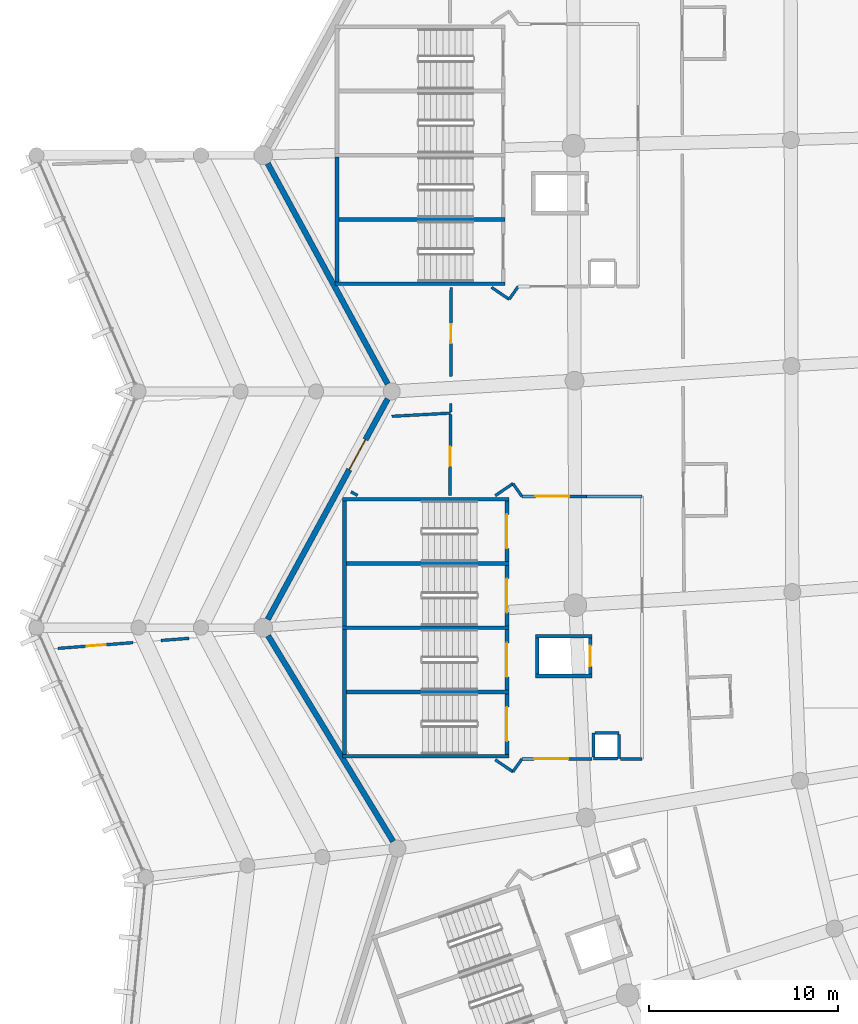
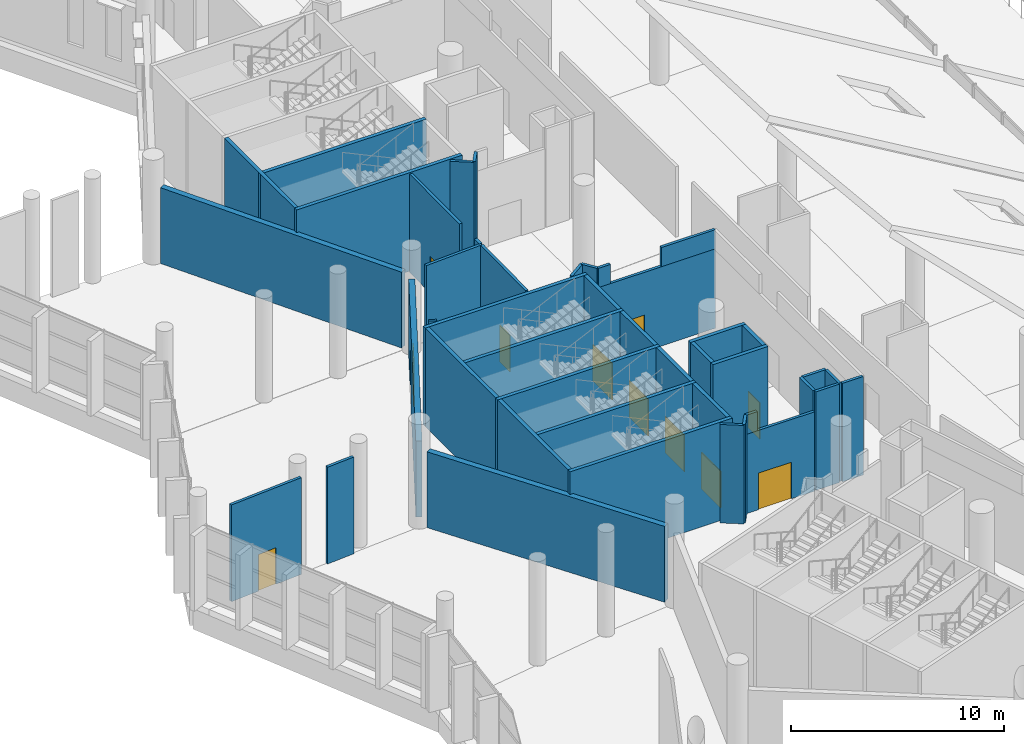
# One storey, part 144 of 249: 44 walls, 11 doors, 11 openings.
"""IFC4 building model written with IfcOpenShell, lengths in metres."""

from ifc_helpers import new_model, si_unit, direction, frame, frame_2d, origin, place, context, subcontext, project, spatial, rectangle, extrude, material, layer, layer_set, type_object, element, fill, save


model = new_model("IFC4")

# Units and contexts
model_context = context("Model", 3, precision=1e-05, world=origin(), true_north=direction((0.0, 1.0)))
body_context = subcontext(model_context, "Body", "Model", "MODEL_VIEW")
ifc_project = project(units=[si_unit("LENGTHUNIT", "METRE"), si_unit("AREAUNIT", "SQUARE_METRE"), si_unit("VOLUMEUNIT", "CUBIC_METRE"), si_unit("PLANEANGLEUNIT", "RADIAN"), si_unit("MASSUNIT", "GRAM", prefix="KILO")], contexts=[model_context])

# Site, building, storey
site_placement = place(None, origin())
site = spatial("IfcSite", under=ifc_project, at=site_placement, CompositionType="ELEMENT")
building_placement = place(site_placement, origin())
building = spatial("IfcBuilding", under=site, at=building_placement, Name="Meseta Stadium", CompositionType="ELEMENT")
storey_placement = place(building_placement, frame((0.0, 0.0, 12.0)))
storey = spatial("IfcBuildingStorey", under=building, at=storey_placement, Name="L02", CompositionType="ELEMENT", Elevation=12.0)

# Walls
ifc_material_1 = material(Name="Concrete C40/50", Category="concrete")
ifc_layer_1 = layer(ifc_material_1, 0.199951171875)
ifc_layer_set_1 = layer_set([ifc_layer_1], Name="Core divider wall 200")
wall_type_1 = type_object("IfcWallType", Name="Core divider wall 200", PredefinedType="SHEAR", material=ifc_layer_set_1)
wall_1_placement = place(storey_placement, frame((-97.60009765625, -22.14990234375, 0.0), z_axis=(0.0, 0.0, 1.0), x_axis=(1.0, 0.0, 0.0)))
element("IfcWall", 1, at=wall_1_placement, inside=storey, type_object=wall_type_1, Name="Core 18 L02 stair B divider wall", PredefinedType="SHEAR", context=body_context, shape_type="SweptSolid", body=[
    extrude(rectangle(XDim=9.0, YDim=0.199951171875, at=frame_2d((4.5, 0.0))), origin(), (0.0, 0.0, 1.0), 5.64990234375),
])
for number, where, z_axis, x_axis, name in (
    (2, (-97.199951171875, -40.35009765625, 0.0), (0.0, 0.0, 1.0), (1.0, 0.0, 0.0), "Core 19 L02 stair A divider wall"),
    (3, (-97.199951171875, -47.14990234375, 0.0), (0.0, 0.0, 1.0), (1.0, 0.0, 0.0), "Core 19 L02 stair B divider wall"),
):
    element("IfcWall", number, at=place(storey_placement, frame(where, z_axis=z_axis, x_axis=x_axis)), inside=storey, type_object=wall_type_1, Name=name, PredefinedType="SHEAR", context=body_context, shape_type="SweptSolid", body=[
        extrude(rectangle(XDim=8.800048828125, YDim=0.199951171875, at=frame_2d((4.39990234375, 0.0))), origin(), (0.0, 0.0, 1.0), 5.64990234375),
    ])
ifc_material_2 = material(Name="Concrete C40/50", Category="concrete")
ifc_layer_2 = layer(ifc_material_2, 0.199951171875)
ifc_layer_set_2 = layer_set([ifc_layer_2], Name="Core shaft wall 200")
wall_type_2 = type_object("IfcWallType", Name="Core shaft wall 200", PredefinedType="SHEAR", material=ifc_layer_set_2)
wall_2_placement = place(storey_placement, frame((-97.60009765625, -25.550048828125, 0.0), z_axis=(0.0, 0.0, 1.0), x_axis=(1.0, 0.0, 0.0)))
element("IfcWall", 4, at=wall_2_placement, inside=storey, type_object=wall_type_2, Name="Core 18 L02 stair wall B-side", PredefinedType="SHEAR", context=body_context, shape_type="SweptSolid", body=[
    extrude(rectangle(XDim=9.0, YDim=0.199951171875, at=frame_2d((4.5, 0.0))), origin(), (0.0, 0.0, 1.0), 5.64990234375),
])
wall_3_placement = place(storey_placement, frame((-97.5, -18.85009765625, 0.0), z_axis=(0.0, 0.0, 1.0), x_axis=(0.0, -1.0, 0.0)))
element("IfcWall", 5, at=wall_3_placement, inside=storey, type_object=wall_type_2, Name="Core 18 L02 stair B outer end wall", PredefinedType="SHEAR", context=body_context, shape_type="SweptSolid", body=[
    extrude(rectangle(XDim=6.599853515625, YDim=0.199951171875, at=frame_2d((3.2998046875, 0.0))), origin(), (0.0, 0.0, 1.0), 5.64990234375),
])
for number, where, z_axis, x_axis, name in (
    (6, (-97.199951171875, -36.949951171875, 0.0), (0.0, 0.0, 1.0), (1.0, 0.0, 0.0), "Core 19 L02 stair wall A-side"),
    (7, (-97.199951171875, -43.75, 0.0), (0.0, 0.0, 1.0), (1.0, 0.0, 0.0), "Core 19 L02 stair wall shared"),
    (8, (-97.199951171875, -50.550048828125, 0.0), (0.0, 0.0, 1.0), (1.0, 0.0, 0.0), "Core 19 L02 stair wall B-side"),
):
    element("IfcWall", number, at=place(storey_placement, frame(where, z_axis=z_axis, x_axis=x_axis)), inside=storey, type_object=wall_type_2, Name=name, PredefinedType="SHEAR", context=body_context, shape_type="SweptSolid", body=[
        extrude(rectangle(XDim=8.800048828125, YDim=0.199951171875, at=frame_2d((4.39990234375, 0.0))), origin(), (0.0, 0.0, 1.0), 5.64990234375),
    ])
for number, where, z_axis, x_axis, name in (
    (9, (-97.10009765625, -37.050048828125, 0.0), (0.0, 0.0, 1.0), (0.0, -1.0, 0.0), "Core 19 L02 stair A outer end wall"),
    (10, (-97.10009765625, -43.85009765625, 0.0), (0.0, 0.0, 1.0), (0.0, -1.0, 0.0), "Core 19 L02 stair B outer end wall"),
):
    element("IfcWall", number, at=place(storey_placement, frame(where, z_axis=z_axis, x_axis=x_axis)), inside=storey, type_object=wall_type_2, Name=name, PredefinedType="SHEAR", context=body_context, shape_type="SweptSolid", body=[
        extrude(rectangle(XDim=6.599853515625, YDim=0.199951171875, at=frame_2d((3.2998046875, 0.0))), origin(), (0.0, 0.0, 1.0), 5.64990234375),
    ])

# Wall, opening, door
wall_4_placement = place(storey_placement, frame((-88.5, -37.050048828125, 0.0), z_axis=(0.0, 0.0, 1.0), x_axis=(0.0, -1.0, 0.0)))
wall_4 = element("IfcWall", 11, at=wall_4_placement, inside=storey, type_object=wall_type_2, Name="Core 19 L02 stair A1 inner end wall", PredefinedType="SHEAR", context=body_context, shape_type="SweptSolid", body=[
    extrude(rectangle(XDim=3.199951171875, YDim=0.199951171875, at=frame_2d((1.60009765625, 0.0))), origin(), (0.0, 0.0, 1.0), 5.64990234375),
])
opening_1_placement = place(wall_4_placement, frame((0.699951171875, 0.0, 0.0)))
opening_1 = element("IfcOpeningElement", 12, at=opening_1_placement, cuts=wall_4, Name="Opening D1005", PredefinedType="OPENING", context=body_context, shape_type="SweptSolid", body=[
    extrude(rectangle(XDim=1.800048828125, YDim=2.10009765625, at=frame_2d((0.89990234375, 1.050048828125))), frame((0.0, 0.10986328125, 0.0), z_axis=(0.0, -1.0, 0.0), x_axis=(1.0, 0.0, 0.0)), (0.0, 0.0, 1.0), 0.219970703125),
])
ifc_material_3 = material(Name="Steel", Category="steel")
door_type_1 = type_object("IfcDoorType", Name="Stair door 1800x2100", OperationType="DOUBLE_DOOR_SINGLE_SWING", PredefinedType="DOOR", material=ifc_material_3)
door_1_placement = place(opening_1_placement, origin())
door_1 = element("IfcDoor", 13, at=door_1_placement, inside=storey, type_object=door_type_1, Name="Stair A1 door 19 L02", OperationType="DOUBLE_DOOR_SINGLE_SWING", OverallHeight=2.10009765625, OverallWidth=1.800048828125, PredefinedType="DOOR", context=body_context, shape_type="SweptSolid", body=[
    extrude(rectangle(XDim=1.800048828125, YDim=2.10009765625, at=frame_2d((0.89990234375, 1.050048828125))), frame((0.0, 0.02490234375, 0.0), z_axis=(0.0, -1.0, 0.0), x_axis=(1.0, 0.0, 0.0)), (0.0, 0.0, 1.0), 0.050048828125),
])
fill(opening_1, door_1)

wall_5_placement = place(storey_placement, frame((-88.5, -40.449951171875, 0.0), z_axis=(0.0, 0.0, 1.0), x_axis=(0.0, -1.0, 0.0)))
wall_5 = element("IfcWall", 14, at=wall_5_placement, inside=storey, type_object=wall_type_2, Name="Core 19 L02 stair A2 inner end wall", PredefinedType="SHEAR", context=body_context, shape_type="SweptSolid", body=[
    extrude(rectangle(XDim=3.199951171875, YDim=0.199951171875, at=frame_2d((1.60009765625, 0.0))), origin(), (0.0, 0.0, 1.0), 5.64990234375),
])
opening_2_placement = place(wall_5_placement, frame((0.699951171875, 0.0, 0.0)))
opening_2 = element("IfcOpeningElement", 15, at=opening_2_placement, cuts=wall_5, Name="Opening D1004", PredefinedType="OPENING", context=body_context, shape_type="SweptSolid", body=[
    extrude(rectangle(XDim=1.800048828125, YDim=2.10009765625, at=frame_2d((0.89990234375, 1.050048828125))), frame((0.0, 0.10986328125, 0.0), z_axis=(0.0, -1.0, 0.0), x_axis=(1.0, 0.0, 0.0)), (0.0, 0.0, 1.0), 0.219970703125),
])
door_2_placement = place(opening_2_placement, origin())
door_2 = element("IfcDoor", 16, at=door_2_placement, inside=storey, type_object=door_type_1, Name="Stair A2 door 19 L02", OperationType="DOUBLE_DOOR_SINGLE_SWING", OverallHeight=2.10009765625, OverallWidth=1.800048828125, PredefinedType="DOOR", context=body_context, shape_type="SweptSolid", body=[
    extrude(rectangle(XDim=1.800048828125, YDim=2.10009765625, at=frame_2d((0.89990234375, 1.050048828125))), frame((0.0, 0.02490234375, 0.0), z_axis=(0.0, -1.0, 0.0), x_axis=(1.0, 0.0, 0.0)), (0.0, 0.0, 1.0), 0.050048828125),
])
fill(opening_2, door_2)

wall_6_placement = place(storey_placement, frame((-88.5, -43.85009765625, 0.0), z_axis=(0.0, 0.0, 1.0), x_axis=(0.0, -1.0, 0.0)))
wall_6 = element("IfcWall", 17, at=wall_6_placement, inside=storey, type_object=wall_type_2, Name="Core 19 L02 stair B1 inner end wall", PredefinedType="SHEAR", context=body_context, shape_type="SweptSolid", body=[
    extrude(rectangle(XDim=3.199951171875, YDim=0.199951171875, at=frame_2d((1.60009765625, 0.0))), origin(), (0.0, 0.0, 1.0), 5.64990234375),
])
opening_3_placement = place(wall_6_placement, frame((0.699951171875, 0.0, 0.0)))
opening_3 = element("IfcOpeningElement", 18, at=opening_3_placement, cuts=wall_6, Name="Opening D1003", PredefinedType="OPENING", context=body_context, shape_type="SweptSolid", body=[
    extrude(rectangle(XDim=1.800048828125, YDim=2.10009765625, at=frame_2d((0.89990234375, 1.050048828125))), frame((0.0, 0.10986328125, 0.0), z_axis=(0.0, -1.0, 0.0), x_axis=(1.0, 0.0, 0.0)), (0.0, 0.0, 1.0), 0.219970703125),
])
door_3_placement = place(opening_3_placement, origin())
door_3 = element("IfcDoor", 19, at=door_3_placement, inside=storey, type_object=door_type_1, Name="Stair B1 door 19 L02", OperationType="DOUBLE_DOOR_SINGLE_SWING", OverallHeight=2.10009765625, OverallWidth=1.800048828125, PredefinedType="DOOR", context=body_context, shape_type="SweptSolid", body=[
    extrude(rectangle(XDim=1.800048828125, YDim=2.10009765625, at=frame_2d((0.89990234375, 1.050048828125))), frame((0.0, 0.02490234375, 0.0), z_axis=(0.0, -1.0, 0.0), x_axis=(1.0, 0.0, 0.0)), (0.0, 0.0, 1.0), 0.050048828125),
])
fill(opening_3, door_3)

wall_7_placement = place(storey_placement, frame((-88.5, -47.25, 0.0), z_axis=(0.0, 0.0, 1.0), x_axis=(0.0, -1.0, 0.0)))
wall_7 = element("IfcWall", 20, at=wall_7_placement, inside=storey, type_object=wall_type_2, Name="Core 19 L02 stair B2 inner end wall", PredefinedType="SHEAR", context=body_context, shape_type="SweptSolid", body=[
    extrude(rectangle(XDim=3.199951171875, YDim=0.199951171875, at=frame_2d((1.60009765625, 0.0))), origin(), (0.0, 0.0, 1.0), 5.64990234375),
])
opening_4_placement = place(wall_7_placement, frame((0.699951171875, 0.0, 0.0)))
opening_4 = element("IfcOpeningElement", 21, at=opening_4_placement, cuts=wall_7, Name="Opening D1002", PredefinedType="OPENING", context=body_context, shape_type="SweptSolid", body=[
    extrude(rectangle(XDim=1.800048828125, YDim=2.10009765625, at=frame_2d((0.89990234375, 1.050048828125))), frame((0.0, 0.10986328125, 0.0), z_axis=(0.0, -1.0, 0.0), x_axis=(1.0, 0.0, 0.0)), (0.0, 0.0, 1.0), 0.219970703125),
])
door_4_placement = place(opening_4_placement, origin())
door_4 = element("IfcDoor", 22, at=door_4_placement, inside=storey, type_object=door_type_1, Name="Stair B2 door 19 L02", OperationType="DOUBLE_DOOR_SINGLE_SWING", OverallHeight=2.10009765625, OverallWidth=1.800048828125, PredefinedType="DOOR", context=body_context, shape_type="SweptSolid", body=[
    extrude(rectangle(XDim=1.800048828125, YDim=2.10009765625, at=frame_2d((0.89990234375, 1.050048828125))), frame((0.0, 0.02490234375, 0.0), z_axis=(0.0, -1.0, 0.0), x_axis=(1.0, 0.0, 0.0)), (0.0, 0.0, 1.0), 0.050048828125),
])
fill(opening_4, door_4)

# Walls
for number, where, z_axis, x_axis, name in (
    (23, (-87.0, -44.199951171875, 0.0), (0.0, 0.0, 1.0), (1.0, 0.0, 0.0), "Core 19 L02 lift shaft wall left"),
    (24, (-87.0, -46.300048828125, 0.0), (0.0, 0.0, 1.0), (1.0, 0.0, 0.0), "Core 19 L02 lift shaft wall right"),
):
    element("IfcWall", number, at=place(storey_placement, frame(where, z_axis=z_axis, x_axis=x_axis)), inside=storey, type_object=wall_type_2, Name=name, PredefinedType="SHEAR", context=body_context, shape_type="SweptSolid", body=[
        extrude(rectangle(XDim=3.0, YDim=0.199951171875, at=frame_2d((1.5, 0.0))), origin(), (0.0, 0.0, 1.0), 5.64990234375),
    ])
wall_8_placement = place(storey_placement, frame((-86.89990234375, -44.300048828125, 0.0), z_axis=(0.0, 0.0, 1.0), x_axis=(0.0, -1.0, 0.0)))
element("IfcWall", 25, at=wall_8_placement, inside=storey, type_object=wall_type_2, Name="Core 19 L02 lift shaft back wall", PredefinedType="SHEAR", context=body_context, shape_type="SweptSolid", body=[
    extrude(rectangle(XDim=1.89990234375, YDim=0.199951171875, at=frame_2d((0.949951171875, 0.0))), origin(), (0.0, 0.0, 1.0), 5.64990234375),
])

# Wall, opening, door
wall_9_placement = place(storey_placement, frame((-84.10009765625, -44.300048828125, 0.0), z_axis=(0.0, 0.0, 1.0), x_axis=(0.0, -1.0, 0.0)))
wall_9 = element("IfcWall", 26, at=wall_9_placement, inside=storey, type_object=wall_type_2, Name="Core 19 L02 lift shaft front wall", PredefinedType="SHEAR", context=body_context, shape_type="SweptSolid", body=[
    extrude(rectangle(XDim=1.89990234375, YDim=0.199951171875, at=frame_2d((0.949951171875, 0.0))), origin(), (0.0, 0.0, 1.0), 5.64990234375),
])
opening_5_placement = place(wall_9_placement, frame((0.39990234375, 0.0, 0.0)))
opening_5 = element("IfcOpeningElement", 27, at=opening_5_placement, cuts=wall_9, Name="Opening LD106", PredefinedType="OPENING", context=body_context, shape_type="SweptSolid", body=[
    extrude(rectangle(XDim=1.10009765625, YDim=2.10009765625, at=frame_2d((0.550048828125, 1.050048828125))), frame((0.0, 0.10986328125, 0.0), z_axis=(0.0, -1.0, 0.0), x_axis=(1.0, 0.0, 0.0)), (0.0, 0.0, 1.0), 0.219970703125),
])
ifc_material_4 = material(Name="Steel", Category="steel")
door_type_2 = type_object("IfcDoorType", Name="Lift landing door 1100x2100", OperationType="SLIDING_TO_LEFT", PredefinedType="DOOR", material=ifc_material_4)
door_5_placement = place(opening_5_placement, origin())
door_5 = element("IfcDoor", 28, at=door_5_placement, inside=storey, type_object=door_type_2, Name="Lift landing door LD106", OperationType="SLIDING_TO_RIGHT", OverallHeight=2.10009765625, OverallWidth=1.10009765625, PredefinedType="DOOR", context=body_context, shape_type="SweptSolid", body=[
    extrude(rectangle(XDim=1.10009765625, YDim=2.10009765625, at=frame_2d((0.550048828125, 1.050048828125))), frame((0.0, 0.02490234375, 0.0), z_axis=(0.0, -1.0, 0.0), x_axis=(1.0, 0.0, 0.0)), (0.0, 0.0, 1.0), 0.050048828125),
])
fill(opening_5, door_5)

# Walls
ifc_material_5 = material(Name="Masonry blockwork", Category="masonry")
ifc_layer_3 = layer(ifc_material_5, 0.14990234375)
ifc_layer_set_3 = layer_set([ifc_layer_3], Name="Partition 150")
wall_type_3 = type_object("IfcWallType", Name="Partition 150", PredefinedType="PARTITIONING", material=ifc_layer_set_3)
wall_10_placement = place(storey_placement, frame((-96.408447265625, -36.75, 0.0), z_axis=(0.0, 0.0, 1.0), x_axis=(-0.878438378965, 0.477855641759, 0.0)))
element("IfcWall", 29, at=wall_10_placement, inside=storey, type_object=wall_type_3, Name="Partition L02 L02-cell17-2-0a", PredefinedType="PARTITIONING", context=body_context, shape_type="SweptSolid", body=[
    extrude(rectangle(XDim=0.39501953125, YDim=0.14990234375, at=frame_2d((0.197509765625, 0.0))), origin(), (0.0, 0.0, 1.0), 5.64990234375),
])
wall_11_placement = place(storey_placement, frame((-94.59912109375, -32.56591796875, 0.0), z_axis=(0.0, 0.0, 1.0), x_axis=(0.998501215995, 0.054729531845, 0.0)))
element("IfcWall", 30, at=wall_11_placement, inside=storey, type_object=wall_type_3, Name="Partition L02 L02-cell17-2-0a", PredefinedType="PARTITIONING", context=body_context, shape_type="SweptSolid", body=[
    extrude(rectangle(XDim=3.12255859375, YDim=0.14990234375, at=frame_2d((1.561279296875, 0.0))), origin(), (0.0, 0.0, 1.0), 5.64990234375),
])

# Wall, opening, door
wall_12_placement = place(storey_placement, frame((-91.48193359375, -32.469970703125, 0.0), z_axis=(0.0, 0.0, 1.0), x_axis=(-0.009411482079, -0.999955711022, 0.0)))
wall_12 = element("IfcWall", 31, at=wall_12_placement, inside=storey, type_object=wall_type_3, Name="Partition L02 L02-cell17-2-0a", PredefinedType="PARTITIONING", context=body_context, shape_type="SweptSolid", body=[
    extrude(rectangle(XDim=4.2802734375, YDim=0.14990234375, at=frame_2d((2.14013671875, 0.0))), origin(), (0.0, 0.0, 1.0), 5.64990234375),
])
opening_6_placement = place(wall_12_placement, frame((1.699951171875, 0.0, 0.0)))
opening_6 = element("IfcOpeningElement", 32, at=opening_6_placement, cuts=wall_12, Name="Opening D708", PredefinedType="OPENING", context=body_context, shape_type="SweptSolid", body=[
    extrude(rectangle(XDim=1.0, YDim=2.10009765625, at=frame_2d((0.5, 1.050048828125))), frame((0.0, 0.0849609375, 0.0), z_axis=(0.0, -1.0, 0.0), x_axis=(1.0, 0.0, 0.0)), (0.0, 0.0, 1.0), 0.169921875),
])
ifc_material_6 = material(Name="Timber", Category="wood")
door_type_3 = type_object("IfcDoorType", Name="Room door 1000x2100", OperationType="NOTDEFINED", PredefinedType="DOOR", material=ifc_material_6)
door_6_placement = place(opening_6_placement, origin())
door_6 = element("IfcDoor", 33, at=door_6_placement, inside=storey, type_object=door_type_3, Name="Door D708", OperationType="SINGLE_SWING_LEFT", OverallHeight=2.10009765625, OverallWidth=1.0, PredefinedType="DOOR", context=body_context, shape_type="SweptSolid", body=[
    extrude(rectangle(XDim=1.0, YDim=2.10009765625, at=frame_2d((0.5, 1.050048828125))), frame((0.0, 0.02490234375, 0.0), z_axis=(0.0, -1.0, 0.0), x_axis=(1.0, 0.0, 0.0)), (0.0, 0.0, 1.0), 0.050048828125),
])
fill(opening_6, door_6)

wall_13_placement = place(storey_placement, frame((-91.454833984375, -25.75, 0.0), z_axis=(0.0, 0.0, 1.0), x_axis=(-0.003886987998, -0.999992445634, 0.0)))
wall_13 = element("IfcWall", 34, at=wall_13_placement, inside=storey, type_object=wall_type_3, Name="Partition L02 L02-cell17-2-0w", PredefinedType="PARTITIONING", context=body_context, shape_type="SweptSolid", body=[
    extrude(rectangle(XDim=4.710693359375, YDim=0.14990234375, at=frame_2d((2.35546875, 0.0))), origin(), (0.0, 0.0, 1.0), 5.64990234375),
])
opening_7_placement = place(wall_13_placement, frame((1.949951171875, 0.0, 0.0)))
opening_7 = element("IfcOpeningElement", 35, at=opening_7_placement, cuts=wall_13, Name="Opening D709", PredefinedType="OPENING", context=body_context, shape_type="SweptSolid", body=[
    extrude(rectangle(XDim=1.0, YDim=2.10009765625, at=frame_2d((0.5, 1.050048828125))), frame((0.0, 0.0849609375, 0.0), z_axis=(0.0, -1.0, 0.0), x_axis=(1.0, 0.0, 0.0)), (0.0, 0.0, 1.0), 0.169921875),
])
door_7_placement = place(opening_7_placement, origin())
door_7 = element("IfcDoor", 36, at=door_7_placement, inside=storey, type_object=door_type_3, Name="Door D709", OperationType="SINGLE_SWING_RIGHT", OverallHeight=2.10009765625, OverallWidth=1.0, PredefinedType="DOOR", context=body_context, shape_type="SweptSolid", body=[
    extrude(rectangle(XDim=1.0, YDim=2.10009765625, at=frame_2d((0.5, 1.050048828125))), frame((0.0, 0.02490234375, 0.0), z_axis=(0.0, -1.0, 0.0), x_axis=(1.0, 0.0, 0.0)), (0.0, 0.0, 1.0), 0.050048828125),
])
fill(opening_7, door_7)

# Walls
wall_14_placement = place(storey_placement, frame((-91.478759765625, -31.873779296875, 0.0), z_axis=(0.0, 0.0, 1.0), x_axis=(-0.00362691915, -0.999993422707, 0.0)))
element("IfcWall", 37, at=wall_14_placement, inside=storey, type_object=wall_type_3, Name="Partition L02 L02-cell17-2-0w", PredefinedType="PARTITIONING", context=body_context, shape_type="SweptSolid", body=[
    extrude(rectangle(XDim=0.47119140625, YDim=0.14990234375, at=frame_2d((0.235595703125, 0.0))), origin(), (0.0, 0.0, 1.0), 5.64990234375),
])
wall_15_placement = place(storey_placement, frame((-105.322021484375, -44.31201171875, 0.0), z_axis=(0.0, 0.0, 1.0), x_axis=(-0.997063142475, -0.07658387505, 0.0)))
element("IfcWall", 38, at=wall_15_placement, inside=storey, type_object=wall_type_3, Name="Partition L02 L02-ring17-0", PredefinedType="PARTITIONING", context=body_context, shape_type="SweptSolid", body=[
    extrude(rectangle(XDim=1.491943359375, YDim=0.14990234375, at=frame_2d((0.74609375, 0.0))), origin(), (0.0, 0.0, 1.0), 5.550048828125),
])

# Wall, opening, door
wall_16_placement = place(storey_placement, frame((-108.297119140625, -44.540283203125, 0.0), z_axis=(0.0, 0.0, 1.0), x_axis=(-0.997068185729, -0.076518187433, 0.0)))
wall_16 = element("IfcWall", 39, at=wall_16_placement, inside=storey, type_object=wall_type_3, Name="Partition L02 L02-ring17-0", PredefinedType="PARTITIONING", context=body_context, shape_type="SweptSolid", body=[
    extrude(rectangle(XDim=3.978759765625, YDim=0.14990234375, at=frame_2d((1.9892578125, 0.0))), origin(), (0.0, 0.0, 1.0), 5.550048828125),
])
opening_8_placement = place(wall_16_placement, frame((1.449951171875, 0.0, 0.0)))
opening_8 = element("IfcOpeningElement", 40, at=opening_8_placement, cuts=wall_16, Name="Opening D712", PredefinedType="OPENING", context=body_context, shape_type="SweptSolid", body=[
    extrude(rectangle(XDim=1.0, YDim=2.10009765625, at=frame_2d((0.5, 1.050048828125))), frame((0.0, 0.0849609375, 0.0), z_axis=(0.0, -1.0, 0.0), x_axis=(1.0, 0.0, 0.0)), (0.0, 0.0, 1.0), 0.169921875),
])
ifc_material_7 = material(Name="Steel", Category="steel")
door_type_4 = type_object("IfcDoorType", Name="Fire door 1000x2100 EI2 60", OperationType="NOTDEFINED", PredefinedType="DOOR", material=ifc_material_7)
door_8_placement = place(opening_8_placement, origin())
door_8 = element("IfcDoor", 41, at=door_8_placement, inside=storey, type_object=door_type_4, Name="Door D712", OperationType="SINGLE_SWING_RIGHT", OverallHeight=2.10009765625, OverallWidth=1.0, PredefinedType="DOOR", context=body_context, shape_type="SweptSolid", body=[
    extrude(rectangle(XDim=1.0, YDim=2.10009765625, at=frame_2d((0.5, 1.050048828125))), frame((0.0, 0.02490234375, 0.0), z_axis=(0.0, -1.0, 0.0), x_axis=(1.0, 0.0, 0.0)), (0.0, 0.0, 1.0), 0.050048828125),
])
fill(opening_8, door_8)

# Walls
wall_17_placement = place(storey_placement, frame((-89.319580078125, -25.739501953125, 0.0), z_axis=(0.0, 0.0, 1.0), x_axis=(0.827055308354, -0.562120553728, 0.0)))
element("IfcWall", 42, at=wall_17_placement, inside=storey, type_object=wall_type_3, Name="Stair vestibule wall L02 core 18", PredefinedType="PARTITIONING", context=body_context, shape_type="SweptSolid", body=[
    extrude(rectangle(XDim=1.1279296875, YDim=0.14990234375, at=frame_2d((0.56396484375, 0.0))), origin(), (0.0, 0.0, 1.0), 5.64990234375),
])
wall_18_placement = place(storey_placement, frame((-88.38671875, -26.37353515625, 0.0), z_axis=(0.0, 0.0, 1.0), x_axis=(0.575376756214, 0.817888493872, 0.0)))
element("IfcWall", 43, at=wall_18_placement, inside=storey, type_object=wall_type_3, Name="Stair vestibule wall L02 core 18", PredefinedType="PARTITIONING", context=body_context, shape_type="SweptSolid", body=[
    extrude(rectangle(XDim=0.82958984375, YDim=0.14990234375, at=frame_2d((0.414794921875, 0.0))), origin(), (0.0, 0.0, 1.0), 5.64990234375),
])
for number, where, z_axis, x_axis, name in (
    (44, (-83.925048828125, -49.324951171875, 0.0), (0.0, 0.0, 1.0), (0.0, -1.0, 0.0), "Pressurisation shaft wall L02 core 19"),
    (45, (-83.925048828125, -50.675048828125, 0.0), (0.0, 0.0, 1.0), (1.0, 0.0, 0.0), "Pressurisation shaft wall L02 core 19"),
    (46, (-82.574951171875, -50.675048828125, 0.0), (0.0, 0.0, 1.0), (0.0, 1.0, 0.0), "Pressurisation shaft wall L02 core 19"),
    (47, (-82.574951171875, -49.324951171875, 0.0), (0.0, 0.0, 1.0), (-1.0, 0.0, 0.0), "Pressurisation shaft wall L02 core 19"),
):
    element("IfcWall", number, at=place(storey_placement, frame(where, z_axis=z_axis, x_axis=x_axis)), inside=storey, type_object=wall_type_3, Name=name, PredefinedType="PARTITIONING", context=body_context, shape_type="SweptSolid", body=[
        extrude(rectangle(XDim=1.275146484375, YDim=0.14990234375, at=frame_2d((0.6376953125, 0.0))), origin(), (0.0, 0.0, 1.0), 5.64990234375),
    ])
wall_19_placement = place(storey_placement, frame((-89.11962890625, -50.739501953125, 0.0), z_axis=(0.0, 0.0, 1.0), x_axis=(0.827055308354, -0.562120553728, 0.0)))
element("IfcWall", 48, at=wall_19_placement, inside=storey, type_object=wall_type_3, Name="Stair vestibule wall L02 core 19", PredefinedType="PARTITIONING", context=body_context, shape_type="SweptSolid", body=[
    extrude(rectangle(XDim=1.1279296875, YDim=0.14990234375, at=frame_2d((0.56396484375, 0.0))), origin(), (0.0, 0.0, 1.0), 5.64990234375),
])
wall_20_placement = place(storey_placement, frame((-88.186767578125, -51.37353515625, 0.0), z_axis=(0.0, 0.0, 1.0), x_axis=(0.575376756214, 0.817888493872, 0.0)))
element("IfcWall", 49, at=wall_20_placement, inside=storey, type_object=wall_type_3, Name="Stair vestibule wall L02 core 19", PredefinedType="PARTITIONING", context=body_context, shape_type="SweptSolid", body=[
    extrude(rectangle(XDim=0.82958984375, YDim=0.14990234375, at=frame_2d((0.414794921875, 0.0))), origin(), (0.0, 0.0, 1.0), 5.64990234375),
])

# Wall, opening, door
wall_21_placement = place(storey_placement, frame((-87.70947265625, -50.695068359375, 0.0), z_axis=(0.0, 0.0, 1.0), x_axis=(1.0, 0.0, 0.0)))
wall_21 = element("IfcWall", 50, at=wall_21_placement, inside=storey, type_object=wall_type_3, Name="Stair vestibule wall L02 core 19", PredefinedType="PARTITIONING", context=body_context, shape_type="SweptSolid", body=[
    extrude(rectangle(XDim=3.70361328125, YDim=0.14990234375, at=frame_2d((1.851806640625, 0.0))), origin(), (0.0, 0.0, 1.0), 4.550048828125),
])
opening_9_placement = place(wall_21_placement, frame((0.64990234375, 0.0, 0.0)))
opening_9 = element("IfcOpeningElement", 51, at=opening_9_placement, cuts=wall_21, Name="Opening D1019", PredefinedType="OPENING", context=body_context, shape_type="SweptSolid", body=[
    extrude(rectangle(XDim=1.800048828125, YDim=2.10009765625, at=frame_2d((0.89990234375, 1.050048828125))), frame((0.0, 0.0849609375, 0.0), z_axis=(0.0, -1.0, 0.0), x_axis=(1.0, 0.0, 0.0)), (0.0, 0.0, 1.0), 0.169921875),
])
ifc_material_8 = material(Name="Steel", Category="steel")
door_type_5 = type_object("IfcDoorType", Name="Fire double door 1800x2100 EI2 60", OperationType="DOUBLE_DOOR_SINGLE_SWING", PredefinedType="DOOR", material=ifc_material_8)
door_9_placement = place(opening_9_placement, origin())
door_9 = element("IfcDoor", 52, at=door_9_placement, inside=storey, type_object=door_type_5, Name="Stair vestibule door L02 core 19", OperationType="DOUBLE_DOOR_SINGLE_SWING", OverallHeight=2.10009765625, OverallWidth=1.800048828125, PredefinedType="DOOR", context=body_context, shape_type="SweptSolid", body=[
    extrude(rectangle(XDim=1.800048828125, YDim=2.10009765625, at=frame_2d((0.89990234375, 1.050048828125))), frame((0.0, 0.02490234375, 0.0), z_axis=(0.0, -1.0, 0.0), x_axis=(1.0, 0.0, 0.0)), (0.0, 0.0, 1.0), 0.050048828125),
])
fill(opening_9, door_9)

# Walls
wall_22_placement = place(storey_placement, frame((-87.70947265625, -50.695068359375, 4.550048828125), z_axis=(0.0, 0.0, 1.0), x_axis=(1.0, 0.0, 0.0)))
element("IfcWall", 53, at=wall_22_placement, inside=storey, type_object=wall_type_3, Name="Stair vestibule wall L02 core 19", PredefinedType="PARTITIONING", context=body_context, shape_type="SweptSolid", body=[
    extrude(rectangle(XDim=0.599853515625, YDim=0.14990234375, at=frame_2d((0.2998046875, 0.0))), origin(), (0.0, 0.0, 1.0), 1.099853515625),
])
wall_23_placement = place(storey_placement, frame((-82.489990234375, -50.695068359375, 0.0), z_axis=(0.0, 0.0, 1.0), x_axis=(1.0, 0.0, 0.0)))
element("IfcWall", 54, at=wall_23_placement, inside=storey, type_object=wall_type_3, Name="Stair vestibule wall L02 core 19", PredefinedType="PARTITIONING", context=body_context, shape_type="SweptSolid", body=[
    extrude(rectangle(XDim=1.135009765625, YDim=0.14990234375, at=frame_2d((0.5673828125, 0.0))), origin(), (0.0, 0.0, 1.0), 5.64990234375),
])

# Wall, opening, door
wall_24_placement = place(storey_placement, frame((-81.35498046875, -36.804931640625, 0.0), z_axis=(0.0, 0.0, 1.0), x_axis=(-1.0, 0.0, 0.0)))
wall_24 = element("IfcWall", 55, at=wall_24_placement, inside=storey, type_object=wall_type_3, Name="Stair vestibule wall L02 core 19", PredefinedType="PARTITIONING", context=body_context, shape_type="SweptSolid", body=[
    extrude(rectangle(XDim=6.354248046875, YDim=0.14990234375, at=frame_2d((3.17724609375, 0.0))), origin(), (0.0, 0.0, 1.0), 4.550048828125),
])
opening_10_placement = place(wall_24_placement, frame((3.85009765625, 0.0, 0.0)))
opening_10 = element("IfcOpeningElement", 56, at=opening_10_placement, cuts=wall_24, Name="Opening D1020", PredefinedType="OPENING", context=body_context, shape_type="SweptSolid", body=[
    extrude(rectangle(XDim=1.800048828125, YDim=2.10009765625, at=frame_2d((0.89990234375, 1.050048828125))), frame((0.0, 0.0849609375, 0.0), z_axis=(0.0, -1.0, 0.0), x_axis=(1.0, 0.0, 0.0)), (0.0, 0.0, 1.0), 0.169921875),
])
door_10_placement = place(opening_10_placement, origin())
door_10 = element("IfcDoor", 57, at=door_10_placement, inside=storey, type_object=door_type_5, Name="Stair vestibule door L02 core 19", OperationType="DOUBLE_DOOR_SINGLE_SWING", OverallHeight=2.10009765625, OverallWidth=1.800048828125, PredefinedType="DOOR", context=body_context, shape_type="SweptSolid", body=[
    extrude(rectangle(XDim=1.800048828125, YDim=2.10009765625, at=frame_2d((0.89990234375, 1.050048828125))), frame((0.0, 0.02490234375, 0.0), z_axis=(0.0, -1.0, 0.0), x_axis=(1.0, 0.0, 0.0)), (0.0, 0.0, 1.0), 0.050048828125),
])
fill(opening_10, door_10)

# Walls
wall_25_placement = place(storey_placement, frame((-81.35498046875, -36.804931640625, 4.550048828125), z_axis=(0.0, 0.0, 1.0), x_axis=(-1.0, 0.0, 0.0)))
element("IfcWall", 58, at=wall_25_placement, inside=storey, type_object=wall_type_3, Name="Stair vestibule wall L02 core 19", PredefinedType="PARTITIONING", context=body_context, shape_type="SweptSolid", body=[
    extrude(rectangle(XDim=2.9326171875, YDim=0.14990234375, at=frame_2d((1.46630859375, 0.0))), origin(), (0.0, 0.0, 1.0), 1.099853515625),
])
wall_26_placement = place(storey_placement, frame((-87.054931640625, -36.804931640625, 4.550048828125), z_axis=(0.0, 0.0, 1.0), x_axis=(-1.0, 0.0, 0.0)))
element("IfcWall", 59, at=wall_26_placement, inside=storey, type_object=wall_type_3, Name="Stair vestibule wall L02 core 19", PredefinedType="PARTITIONING", context=body_context, shape_type="SweptSolid", body=[
    extrude(rectangle(XDim=0.654296875, YDim=0.14990234375, at=frame_2d((0.3271484375, 0.0))), origin(), (0.0, 0.0, 1.0), 1.099853515625),
])
wall_27_placement = place(storey_placement, frame((-87.709228515625, -36.804931640625, 0.0), z_axis=(0.0, 0.0, 1.0), x_axis=(-0.575573582652, 0.81774999294, 0.0)))
element("IfcWall", 60, at=wall_27_placement, inside=storey, type_object=wall_type_3, Name="Stair vestibule wall L02 core 19", PredefinedType="PARTITIONING", context=body_context, shape_type="SweptSolid", body=[
    extrude(rectangle(XDim=0.82958984375, YDim=0.14990234375, at=frame_2d((0.414794921875, 0.0))), origin(), (0.0, 0.0, 1.0), 5.64990234375),
])
wall_28_placement = place(storey_placement, frame((-88.186767578125, -36.12646484375, 0.0), z_axis=(0.0, 0.0, 1.0), x_axis=(-0.827055308354, -0.562120553728, 0.0)))
element("IfcWall", 61, at=wall_28_placement, inside=storey, type_object=wall_type_3, Name="Stair vestibule wall L02 core 19", PredefinedType="PARTITIONING", context=body_context, shape_type="SweptSolid", body=[
    extrude(rectangle(XDim=1.1279296875, YDim=0.14990234375, at=frame_2d((0.56396484375, 0.0))), origin(), (0.0, 0.0, 1.0), 5.64990234375),
])
ifc_material_9 = material(Name="White precast concrete C40/50", Category="concrete")
ifc_layer_4 = layer(ifc_material_9, 0.300048828125)
ifc_layer_set_4 = layer_set([ifc_layer_4], Name="Pleated panel wall 300 concourse")
wall_type_4 = type_object("IfcWallType", Name="Pleated panel wall 300 concourse", PredefinedType="SOLIDWALL", material=ifc_layer_set_4)
wall_29_placement = place(storey_placement, frame((-94.81494140625, -30.854736328125, 0.0), z_axis=(0.0, 0.0, 1.0), x_axis=(-0.477867771117, 0.878431780691, 0.0)))
element("IfcWall", 62, at=wall_29_placement, inside=storey, type_object=wall_type_4, Name="Pleated facade panel L02 F34", PredefinedType="SOLIDWALL", context=body_context, shape_type="SweptSolid", body=[
    extrude(rectangle(XDim=13.2802734375, YDim=0.300048828125, at=frame_2d((6.64013671875, 0.0))), origin(), (0.0, 0.0, 1.0), 4.35009765625),
])

# Wall, opening, door
wall_30_placement = place(storey_placement, frame((-101.1611328125, -43.31103515625, 0.0), z_axis=(0.0, 0.0, 1.0), x_axis=(0.477867771117, 0.878431780691, 0.0)))
wall_30 = element("IfcWall", 63, at=wall_30_placement, inside=storey, type_object=wall_type_4, Name="Pleated facade panel L02 F35", PredefinedType="SOLIDWALL", context=body_context, shape_type="SweptSolid", body=[
    extrude(rectangle(XDim=13.2802734375, YDim=0.300048828125, at=frame_2d((6.64013671875, 0.0))), origin(), (0.0, 0.0, 1.0), 4.35009765625),
])
opening_11_placement = place(wall_30_placement, frame((9.030029296875, 0.0, 0.0)))
opening_11 = element("IfcOpeningElement", 64, at=opening_11_placement, cuts=wall_30, Name="Opening D999", PredefinedType="OPENING", context=body_context, shape_type="SweptSolid", body=[
    extrude(rectangle(XDim=1.800048828125, YDim=2.39990234375, at=frame_2d((0.89990234375, 1.199951171875))), frame((0.0, 0.159912109375, 0.0), z_axis=(0.0, -1.0, 0.0), x_axis=(1.0, 0.0, 0.0)), (0.0, 0.0, 1.0), 0.320068359375),
])
ifc_material_10 = material(Name="Steel", Category="steel")
door_type_6 = type_object("IfcDoorType", Name="Concourse double door 1800x2400", OperationType="DOUBLE_DOOR_SINGLE_SWING", PredefinedType="DOOR", material=ifc_material_10)
door_11_placement = place(opening_11_placement, origin())
door_11 = element("IfcDoor", 65, at=door_11_placement, inside=storey, type_object=door_type_6, Name="Concourse door", OperationType="DOUBLE_DOOR_SINGLE_SWING", OverallHeight=2.39990234375, OverallWidth=1.800048828125, PredefinedType="DOOR", context=body_context, shape_type="SweptSolid", body=[
    extrude(rectangle(XDim=1.800048828125, YDim=2.39990234375, at=frame_2d((0.89990234375, 1.199951171875))), frame((0.0, 0.02490234375, 0.0), z_axis=(0.0, -1.0, 0.0), x_axis=(1.0, 0.0, 0.0)), (0.0, 0.0, 1.0), 0.050048828125),
])
fill(opening_11, door_11)

# Wall
wall_31_placement = place(storey_placement, frame((-94.52783203125, -55.057373046875, 0.0), z_axis=(0.0, 0.0, 1.0), x_axis=(-0.519362860044, 0.854553813172, 0.0)))
element("IfcWall", 66, at=wall_31_placement, inside=storey, type_object=wall_type_4, Name="Pleated facade panel L02 F36", PredefinedType="SOLIDWALL", context=body_context, shape_type="SweptSolid", body=[
    extrude(rectangle(XDim=12.732421875, YDim=0.300048828125, at=frame_2d((6.3662109375, 0.0))), origin(), (0.0, 0.0, 1.0), 4.35009765625),
])

save(model, "model.ifc")
